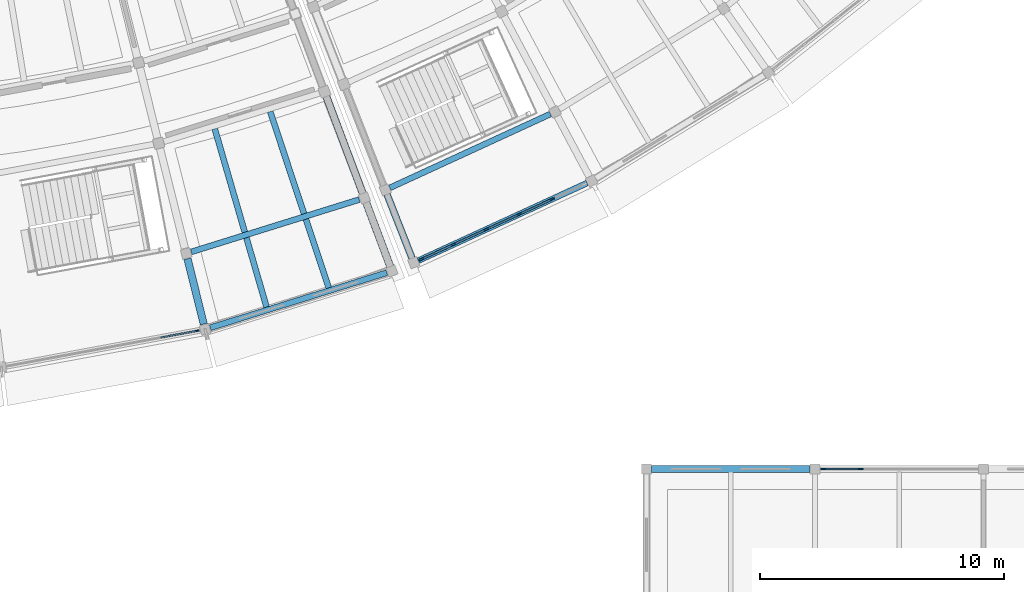
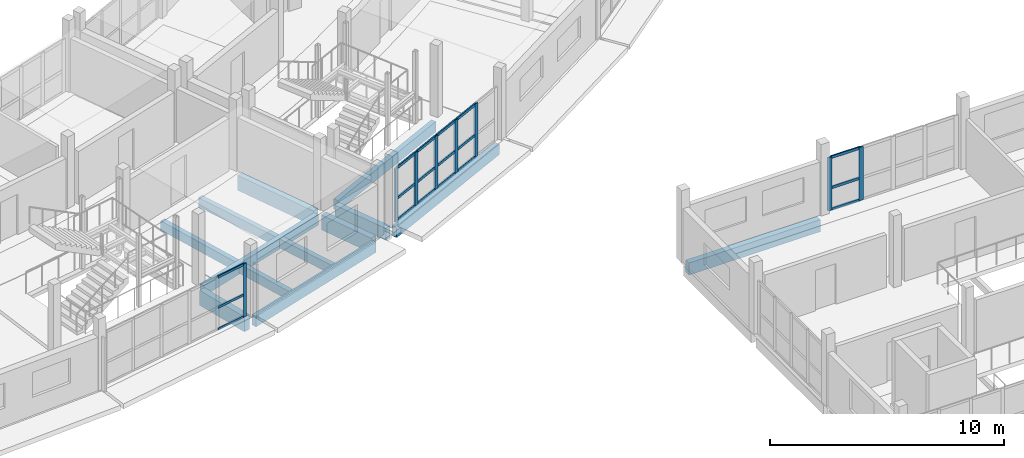
# One storey, part 26 of 77: 26 members, 11 beams, 3 elements without a shape of their own.
"""IFC4 building model written with IfcOpenShell, lengths in metres."""

from ifc_helpers import new_model, si_unit, direction, frame, origin, origin_2d, place, context, subcontext, project, spatial, rectangle, extrude, material, layer, layer_set, material_profile, profile_set, type_object, element, aggregate, save


model = new_model("IFC4")

# Units and contexts
model_context = context("Model", 3, precision=1e-05, world=origin(), true_north=direction((0.0, 1.0)))
body_context = subcontext(model_context, "Body", "Model", "MODEL_VIEW")
ifc_project = project(units=[si_unit("LENGTHUNIT", "METRE"), si_unit("AREAUNIT", "SQUARE_METRE"), si_unit("VOLUMEUNIT", "CUBIC_METRE"), si_unit("PLANEANGLEUNIT", "RADIAN"), si_unit("MASSUNIT", "GRAM", prefix="KILO")], contexts=[model_context])

# Site, building, storey
site_placement = place(None, origin())
site = spatial("IfcSite", under=ifc_project, at=site_placement, CompositionType="ELEMENT")
building_placement = place(site_placement, origin())
building = spatial("IfcBuilding", under=site, at=building_placement, Name="Caldaven Crescent School", CompositionType="ELEMENT")
storey_placement = place(building_placement, frame((0.0, 0.0, 4.419921875)))
storey = spatial("IfcBuildingStorey", under=building, at=storey_placement, Name="L01", CompositionType="ELEMENT", Elevation=4.419921875)

# Beams
ifc_material_1 = material(Name="Glulam MLE24h (GL28h)", Category="wood")
ifc_material_profile_1 = material_profile(ifc_material_1, rectangle(XDim=0.239990234375, YDim=0.5400390625, at=origin_2d()), Name="MLE 240x540")
ifc_profile_set_1 = profile_set([ifc_material_profile_1], Name="Glulam MLE24h (GL28h)")
beam_type_1 = type_object("IfcBeamType", Name="BM-GL54", PredefinedType="BEAM", material=ifc_profile_set_1)
beam_1_placement = place(storey_placement, frame((104.261474609375, 31.686279296875, -0.489990234375), z_axis=(0.954743079131, 0.297431761671, 0.0), x_axis=(-0.297431761671, 0.954743079131, 0.0)))
element("IfcBeam", 1, at=beam_1_placement, inside=storey, type_object=beam_type_1, Name="BMT-V5-L01-1064", PredefinedType="BEAM", context=body_context, shape_type="SweptSolid", body=[
    extrude(rectangle(XDim=0.239990234375, YDim=0.5400390625, at=origin_2d()), origin(), (0.0, 0.0, 1.0), 7.205322265625),
])
beam_2_placement = place(storey_placement, frame((112.389892578125, 34.307861328125, -0.489990234375), z_axis=(0.908529395513, 0.417820939505, 0.0), x_axis=(-0.417820939505, 0.908529395513, 0.0)))
element("IfcBeam", 2, at=beam_2_placement, inside=storey, type_object=beam_type_1, Name="BMT-V4E-L01-1097", PredefinedType="BEAM", context=body_context, shape_type="SweptSolid", body=[
    extrude(rectangle(XDim=0.239990234375, YDim=0.5400390625, at=origin_2d()), origin(), (0.0, 0.0, 1.0), 7.235107421875),
])
ifc_material_profile_2 = material_profile(ifc_material_1, rectangle(XDim=0.280029296875, YDim=0.6298828125, at=origin_2d()), Name="MLE 280x630")
ifc_profile_set_2 = profile_set([ifc_material_profile_2], Name="Glulam MLE24h (GL28h)")
beam_type_2 = type_object("IfcBeamType", Name="BM-GL63", PredefinedType="BEAM", material=ifc_profile_set_2)
beam_3_placement = place(storey_placement, frame((123.10498046875, 22.800048828125, -0.534912109375), z_axis=(1.0, 0.0, 0.0), x_axis=(0.0, 1.0, 0.0)))
element("IfcBeam", 3, at=beam_3_placement, inside=storey, type_object=beam_type_2, Name="BMX-V3-L01-0475", PredefinedType="BEAM", context=body_context, shape_type="SweptSolid", body=[
    extrude(rectangle(XDim=0.280029296875, YDim=0.6298828125, at=origin_2d()), origin(), (0.0, 0.0, 1.0), 6.489990234375),
])
beam_4_placement = place(storey_placement, frame((112.2783203125, 34.03125, -0.534912109375), z_axis=(0.364818343018, -0.931078716649, 0.0), x_axis=(0.931078716649, 0.364818343018, 0.0)))
element("IfcBeam", 4, at=beam_4_placement, inside=storey, type_object=beam_type_2, Name="BMR-V4E-L01-1073", PredefinedType="BEAM", context=body_context, shape_type="SweptSolid", body=[
    extrude(rectangle(XDim=0.280029296875, YDim=0.6298828125, at=origin_2d()), origin(), (0.0, 0.0, 1.0), 2.7900390625),
])
ifc_material_profile_3 = material_profile(ifc_material_1, rectangle(XDim=0.300048828125, YDim=0.780029296875, at=origin_2d()), Name="MLE 300x780")
ifc_profile_set_3 = profile_set([ifc_material_profile_3], Name="Glulam MLE24h (GL28h)")
beam_type_3 = type_object("IfcBeamType", Name="BM-GL78", PredefinedType="BEAM", material=ifc_profile_set_3)
beam_5_placement = place(storey_placement, frame((104.104736328125, 31.407470703125, -0.60986328125), z_axis=(0.241931983941, -0.970293210914, 0.0), x_axis=(0.970293210914, 0.241931983941, 0.0)))
element("IfcBeam", 5, at=beam_5_placement, inside=storey, type_object=beam_type_3, Name="BMR-V5-L01-1019", PredefinedType="BEAM", context=body_context, shape_type="SweptSolid", body=[
    extrude(rectangle(XDim=0.300048828125, YDim=0.780029296875, at=origin_2d()), origin(), (0.0, 0.0, 1.0), 2.760009765625),
])
beam_6_placement = place(storey_placement, frame((109.79150390625, 38.041259765625, -0.60986328125), z_axis=(0.351943115043, -0.93602139066, 0.0), x_axis=(0.93602139066, 0.351943115043, 0.0)))
element("IfcBeam", 6, at=beam_6_placement, inside=storey, type_object=beam_type_3, Name="BMR-V5-L01-1022", PredefinedType="BEAM", context=body_context, shape_type="SweptSolid", body=[
    extrude(rectangle(XDim=0.300048828125, YDim=0.780029296875, at=origin_2d()), origin(), (0.0, 0.0, 1.0), 4.2099609375),
])
beam_7_placement = place(storey_placement, frame((111.427978515625, 33.688720703125, -0.60986328125), z_axis=(0.351956947483, -0.93601618956, 0.0), x_axis=(0.93601618956, 0.351956947483, 0.0)))
element("IfcBeam", 7, at=beam_7_placement, inside=storey, type_object=beam_type_3, Name="BMR-V5-L01-1023", PredefinedType="BEAM", context=body_context, shape_type="SweptSolid", body=[
    extrude(rectangle(XDim=0.300048828125, YDim=0.780029296875, at=origin_2d()), origin(), (0.0, 0.0, 1.0), 2.760009765625),
])

# Curtain wall, member
ifc_material_2 = material(Name="Anodised aluminium AA 6063-T6 and low-E double glazing", Category="aluminium")
ifc_layer_1 = layer(ifc_material_2, 0.169921875)
ifc_layer_set_1 = layer_set([ifc_layer_1], Name="Anodised aluminium AA 6063-T6 and low-E double glazing")
curtain_wall_type_1 = type_object("IfcCurtainWallType", Name="CW-SYS1", PredefinedType="NOTDEFINED", material=ifc_layer_set_1)
curtain_wall_1_placement = place(storey_placement, origin())
curtain_wall_1 = element("IfcCurtainWall", 8, at=curtain_wall_1_placement, inside=storey, type_object=curtain_wall_type_1, Name="CW-L01-128", PredefinedType="NOTDEFINED")
ifc_material_3 = material(Name="Anodised aluminium AA 6063-T6", Category="aluminium")
ifc_material_profile_4 = material_profile(ifc_material_3, rectangle(XDim=0.06005859375, YDim=0.14990234375, at=origin_2d()), Name="CWM 60x150")
ifc_profile_set_4 = profile_set([ifc_material_profile_4], Name="Anodised aluminium AA 6063-T6")
member_type_1 = type_object("IfcMemberType", Name="CWM-T1", PredefinedType="MULLION", material=ifc_profile_set_4)
member_1_placement = place(storey_placement, frame((104.501220703125, 28.455810546875, 0.0), z_axis=(0.0, 0.0, 1.0), x_axis=(-0.182234865564, 0.983255029874, 0.0)))
member_1 = element("IfcMember", 9, at=member_1_placement, type_object=member_type_1, Name="CW1 mullion 6", PredefinedType="MULLION", context=body_context, shape_type="SweptSolid", body=[
    extrude(rectangle(XDim=0.06005859375, YDim=0.14990234375, at=origin_2d()), origin(), (0.0, 0.0, 1.0), 2.780029296875),
])

# Curtain wall, members
ifc_layer_2 = layer(ifc_material_2, 0.2099609375)
ifc_layer_set_2 = layer_set([ifc_layer_2], Name="Anodised aluminium AA 6063-T6 and low-E double glazing")
curtain_wall_type_2 = type_object("IfcCurtainWallType", Name="CW-SYS3", PredefinedType="NOTDEFINED", material=ifc_layer_set_2)
curtain_wall_2_placement = place(storey_placement, origin())
curtain_wall_2 = element("IfcCurtainWall", 10, at=curtain_wall_2_placement, inside=storey, type_object=curtain_wall_type_2, Name="CW-L01-086", PredefinedType="NOTDEFINED")
ifc_material_profile_5 = material_profile(ifc_material_3, rectangle(XDim=0.070068359375, YDim=0.2099609375, at=origin_2d()), Name="CWM 70x210")
ifc_profile_set_5 = profile_set([ifc_material_profile_5], Name="Anodised aluminium AA 6063-T6")
member_type_2 = type_object("IfcMemberType", Name="CWM-T3", PredefinedType="MULLION", material=ifc_profile_set_5)
member_2_placement = place(storey_placement, frame((130.135009765625, 22.800048828125, 0.0), z_axis=(0.0, 0.0, 1.0), x_axis=(0.0, 1.0, 0.0)))
member_2 = element("IfcMember", 11, at=member_2_placement, type_object=member_type_2, Name="CW3 mullion 1", PredefinedType="MULLION", context=body_context, shape_type="SweptSolid", body=[
    extrude(rectangle(XDim=0.070068359375, YDim=0.2099609375, at=origin_2d()), origin(), (0.0, 0.0, 1.0), 2.780029296875),
])
member_3_placement = place(storey_placement, frame((131.675048828125, 22.800048828125, 0.0), z_axis=(0.0, 0.0, 1.0), x_axis=(0.0, 1.0, 0.0)))
member_3 = element("IfcMember", 12, at=member_3_placement, type_object=member_type_2, Name="CW3 mullion 2", PredefinedType="MULLION", context=body_context, shape_type="SweptSolid", body=[
    extrude(rectangle(XDim=0.070068359375, YDim=0.2099609375, at=origin_2d()), origin(), (0.0, 0.0, 1.0), 2.780029296875),
])

curtain_wall_3_placement = place(storey_placement, origin())
curtain_wall_3 = element("IfcCurtainWall", 13, at=curtain_wall_3_placement, inside=storey, type_object=curtain_wall_type_2, Name="CW-L01-131", PredefinedType="NOTDEFINED")
member_4_placement = place(storey_placement, frame((113.67529296875, 31.382568359375, 0.0), z_axis=(0.0, 0.0, 1.0), x_axis=(-0.417823425339, 0.908528252306, 0.0)))
member_4 = element("IfcMember", 14, at=member_4_placement, type_object=member_type_2, Name="CW3 mullion 1", PredefinedType="MULLION", context=body_context, shape_type="SweptSolid", body=[
    extrude(rectangle(XDim=0.070068359375, YDim=0.2099609375, at=origin_2d()), origin(), (0.0, 0.0, 1.0), 2.780029296875),
])
member_5_placement = place(storey_placement, frame((114.99072265625, 31.987548828125, 0.0), z_axis=(0.0, 0.0, 1.0), x_axis=(-0.417823425339, 0.908528252306, 0.0)))
member_5 = element("IfcMember", 15, at=member_5_placement, type_object=member_type_2, Name="CW3 mullion 2", PredefinedType="MULLION", context=body_context, shape_type="SweptSolid", body=[
    extrude(rectangle(XDim=0.070068359375, YDim=0.2099609375, at=origin_2d()), origin(), (0.0, 0.0, 1.0), 2.780029296875),
])
member_6_placement = place(storey_placement, frame((116.337890625, 32.60693359375, 0.0), z_axis=(0.0, 0.0, 1.0), x_axis=(-0.417823425339, 0.908528252306, 0.0)))
member_6 = element("IfcMember", 16, at=member_6_placement, type_object=member_type_2, Name="CW3 mullion 3", PredefinedType="MULLION", context=body_context, shape_type="SweptSolid", body=[
    extrude(rectangle(XDim=0.070068359375, YDim=0.2099609375, at=origin_2d()), origin(), (0.0, 0.0, 1.0), 2.780029296875),
])
member_7_placement = place(storey_placement, frame((117.684814453125, 33.2265625, 0.0), z_axis=(0.0, 0.0, 1.0), x_axis=(-0.417823425339, 0.908528252306, 0.0)))
member_7 = element("IfcMember", 17, at=member_7_placement, type_object=member_type_2, Name="CW3 mullion 4", PredefinedType="MULLION", context=body_context, shape_type="SweptSolid", body=[
    extrude(rectangle(XDim=0.070068359375, YDim=0.2099609375, at=origin_2d()), origin(), (0.0, 0.0, 1.0), 2.780029296875),
])
member_8_placement = place(storey_placement, frame((119.031982421875, 33.84619140625, 0.0), z_axis=(0.0, 0.0, 1.0), x_axis=(-0.417823425339, 0.908528252306, 0.0)))
member_8 = element("IfcMember", 18, at=member_8_placement, type_object=member_type_2, Name="CW3 mullion 5", PredefinedType="MULLION", context=body_context, shape_type="SweptSolid", body=[
    extrude(rectangle(XDim=0.070068359375, YDim=0.2099609375, at=origin_2d()), origin(), (0.0, 0.0, 1.0), 2.780029296875),
])

# Member
ifc_material_profile_6 = material_profile(ifc_material_3, rectangle(XDim=0.06005859375, YDim=0.1201171875, at=origin_2d()), Name="CWT 60x120")
ifc_profile_set_6 = profile_set([ifc_material_profile_6], Name="Anodised aluminium AA 6063-T6")
member_type_3 = type_object("IfcMemberType", Name="CWT-T1", PredefinedType="USERDEFINED", material=ifc_profile_set_6)
member_9_placement = place(storey_placement, frame((103.00830078125, 28.17919921875, 0.030029296875), z_axis=(0.98325262173, 0.182247858315, 0.0), x_axis=(-0.182247858315, 0.98325262173, 0.0)))
member_9 = element("IfcMember", 19, at=member_9_placement, type_object=member_type_3, Name="CW1 transom 5.1", ObjectType="TRANSOM", PredefinedType="USERDEFINED", context=body_context, shape_type="SweptSolid", body=[
    extrude(rectangle(XDim=0.06005859375, YDim=0.1201171875, at=origin_2d()), origin(), (0.0, 0.0, 1.0), 1.48828125),
])

member_10_placement = place(storey_placement, frame((103.00830078125, 28.17919921875, 1.16796875), z_axis=(0.98325262173, 0.182247858315, 0.0), x_axis=(-0.182247858315, 0.98325262173, 0.0)))
member_10 = element("IfcMember", 20, at=member_10_placement, type_object=member_type_3, Name="CW1 transom 5.2", ObjectType="TRANSOM", PredefinedType="USERDEFINED", context=body_context, shape_type="SweptSolid", body=[
    extrude(rectangle(XDim=0.06005859375, YDim=0.1201171875, at=origin_2d()), origin(), (0.0, 0.0, 1.0), 1.48828125),
])

member_11_placement = place(storey_placement, frame((103.00830078125, 28.17919921875, 2.75), z_axis=(0.98325262173, 0.182247858315, 0.0), x_axis=(-0.182247858315, 0.98325262173, 0.0)))
member_11 = element("IfcMember", 21, at=member_11_placement, type_object=member_type_3, Name="CW1 transom 5.3", ObjectType="TRANSOM", PredefinedType="USERDEFINED", context=body_context, shape_type="SweptSolid", body=[
    extrude(rectangle(XDim=0.06005859375, YDim=0.1201171875, at=origin_2d()), origin(), (0.0, 0.0, 1.0), 1.48828125),
])

aggregate(curtain_wall_1, [member_1, member_9, member_10, member_11])

ifc_material_profile_7 = material_profile(ifc_material_3, rectangle(XDim=0.06494140625, YDim=0.139892578125, at=origin_2d()), Name="CWT 65x140")
ifc_profile_set_7 = profile_set([ifc_material_profile_7], Name="Anodised aluminium AA 6063-T6")
member_type_4 = type_object("IfcMemberType", Name="CWT-T2", PredefinedType="USERDEFINED", material=ifc_profile_set_7)
member_12_placement = place(storey_placement, frame((130.169921875, 22.800048828125, 0.032470703125), z_axis=(1.0, 0.0, 0.0), x_axis=(0.0, 1.0, 0.0)))
member_12 = element("IfcMember", 22, at=member_12_placement, type_object=member_type_4, Name="CW3 transom 1.1", ObjectType="TRANSOM", PredefinedType="USERDEFINED", context=body_context, shape_type="SweptSolid", body=[
    extrude(rectangle(XDim=0.06494140625, YDim=0.139892578125, at=origin_2d()), origin(), (0.0, 0.0, 1.0), 1.469970703125),
])

member_13_placement = place(storey_placement, frame((130.169921875, 22.800048828125, 1.16796875), z_axis=(1.0, 0.0, 0.0), x_axis=(0.0, 1.0, 0.0)))
member_13 = element("IfcMember", 23, at=member_13_placement, type_object=member_type_4, Name="CW3 transom 1.2", ObjectType="TRANSOM", PredefinedType="USERDEFINED", context=body_context, shape_type="SweptSolid", body=[
    extrude(rectangle(XDim=0.06494140625, YDim=0.139892578125, at=origin_2d()), origin(), (0.0, 0.0, 1.0), 1.469970703125),
])

member_14_placement = place(storey_placement, frame((130.169921875, 22.800048828125, 2.74755859375), z_axis=(1.0, 0.0, 0.0), x_axis=(0.0, 1.0, 0.0)))
member_14 = element("IfcMember", 24, at=member_14_placement, type_object=member_type_4, Name="CW3 transom 1.3", ObjectType="TRANSOM", PredefinedType="USERDEFINED", context=body_context, shape_type="SweptSolid", body=[
    extrude(rectangle(XDim=0.06494140625, YDim=0.139892578125, at=origin_2d()), origin(), (0.0, 0.0, 1.0), 1.469970703125),
])

aggregate(curtain_wall_2, [member_2, member_3, member_12, member_13, member_14])

member_15_placement = place(storey_placement, frame((113.70703125, 31.397216796875, 0.032470703125), z_axis=(0.908518707105, 0.417844180096, 0.0), x_axis=(-0.417844180096, 0.908518707105, 0.0)))
member_15 = element("IfcMember", 25, at=member_15_placement, type_object=member_type_4, Name="CW3 transom 1.1", ObjectType="TRANSOM", PredefinedType="USERDEFINED", context=body_context, shape_type="SweptSolid", body=[
    extrude(rectangle(XDim=0.06494140625, YDim=0.139892578125, at=origin_2d()), origin(), (0.0, 0.0, 1.0), 1.377685546875),
])

member_16_placement = place(storey_placement, frame((113.70703125, 31.397216796875, 1.16796875), z_axis=(0.908518707105, 0.417844180096, 0.0), x_axis=(-0.417844180096, 0.908518707105, 0.0)))
member_16 = element("IfcMember", 26, at=member_16_placement, type_object=member_type_4, Name="CW3 transom 1.2", ObjectType="TRANSOM", PredefinedType="USERDEFINED", context=body_context, shape_type="SweptSolid", body=[
    extrude(rectangle(XDim=0.06494140625, YDim=0.139892578125, at=origin_2d()), origin(), (0.0, 0.0, 1.0), 1.377685546875),
])

member_17_placement = place(storey_placement, frame((113.70703125, 31.397216796875, 2.74755859375), z_axis=(0.908518707105, 0.417844180096, 0.0), x_axis=(-0.417844180096, 0.908518707105, 0.0)))
member_17 = element("IfcMember", 27, at=member_17_placement, type_object=member_type_4, Name="CW3 transom 1.3", ObjectType="TRANSOM", PredefinedType="USERDEFINED", context=body_context, shape_type="SweptSolid", body=[
    extrude(rectangle(XDim=0.06494140625, YDim=0.139892578125, at=origin_2d()), origin(), (0.0, 0.0, 1.0), 1.377685546875),
])

member_18_placement = place(storey_placement, frame((115.0224609375, 32.002197265625, 0.032470703125), z_axis=(0.908504886929, 0.417874228, 0.0), x_axis=(-0.417874228, 0.908504886929, 0.0)))
member_18 = element("IfcMember", 28, at=member_18_placement, type_object=member_type_4, Name="CW3 transom 2.1", ObjectType="TRANSOM", PredefinedType="USERDEFINED", context=body_context, shape_type="SweptSolid", body=[
    extrude(rectangle(XDim=0.06494140625, YDim=0.139892578125, at=origin_2d()), origin(), (0.0, 0.0, 1.0), 1.41259765625),
])

member_19_placement = place(storey_placement, frame((115.0224609375, 32.002197265625, 1.16796875), z_axis=(0.908504886929, 0.417874228, 0.0), x_axis=(-0.417874228, 0.908504886929, 0.0)))
member_19 = element("IfcMember", 29, at=member_19_placement, type_object=member_type_4, Name="CW3 transom 2.2", ObjectType="TRANSOM", PredefinedType="USERDEFINED", context=body_context, shape_type="SweptSolid", body=[
    extrude(rectangle(XDim=0.06494140625, YDim=0.139892578125, at=origin_2d()), origin(), (0.0, 0.0, 1.0), 1.41259765625),
])

member_20_placement = place(storey_placement, frame((115.0224609375, 32.002197265625, 2.74755859375), z_axis=(0.908504886929, 0.417874228, 0.0), x_axis=(-0.417874228, 0.908504886929, 0.0)))
member_20 = element("IfcMember", 30, at=member_20_placement, type_object=member_type_4, Name="CW3 transom 2.3", ObjectType="TRANSOM", PredefinedType="USERDEFINED", context=body_context, shape_type="SweptSolid", body=[
    extrude(rectangle(XDim=0.06494140625, YDim=0.139892578125, at=origin_2d()), origin(), (0.0, 0.0, 1.0), 1.41259765625),
])

member_21_placement = place(storey_placement, frame((116.36962890625, 32.62158203125, 0.032470703125), z_axis=(0.908504886929, 0.417874228, 0.0), x_axis=(-0.417874228, 0.908504886929, 0.0)))
member_21 = element("IfcMember", 31, at=member_21_placement, type_object=member_type_4, Name="CW3 transom 3.1", ObjectType="TRANSOM", PredefinedType="USERDEFINED", context=body_context, shape_type="SweptSolid", body=[
    extrude(rectangle(XDim=0.06494140625, YDim=0.139892578125, at=origin_2d()), origin(), (0.0, 0.0, 1.0), 1.41259765625),
])

member_22_placement = place(storey_placement, frame((116.36962890625, 32.62158203125, 1.16796875), z_axis=(0.908504886929, 0.417874228, 0.0), x_axis=(-0.417874228, 0.908504886929, 0.0)))
member_22 = element("IfcMember", 32, at=member_22_placement, type_object=member_type_4, Name="CW3 transom 3.2", ObjectType="TRANSOM", PredefinedType="USERDEFINED", context=body_context, shape_type="SweptSolid", body=[
    extrude(rectangle(XDim=0.06494140625, YDim=0.139892578125, at=origin_2d()), origin(), (0.0, 0.0, 1.0), 1.41259765625),
])

member_23_placement = place(storey_placement, frame((116.36962890625, 32.62158203125, 2.74755859375), z_axis=(0.908504886929, 0.417874228, 0.0), x_axis=(-0.417874228, 0.908504886929, 0.0)))
member_23 = element("IfcMember", 33, at=member_23_placement, type_object=member_type_4, Name="CW3 transom 3.3", ObjectType="TRANSOM", PredefinedType="USERDEFINED", context=body_context, shape_type="SweptSolid", body=[
    extrude(rectangle(XDim=0.06494140625, YDim=0.139892578125, at=origin_2d()), origin(), (0.0, 0.0, 1.0), 1.41259765625),
])

member_24_placement = place(storey_placement, frame((117.716796875, 33.2412109375, 0.032470703125), z_axis=(0.908504886929, 0.417874228, 0.0), x_axis=(-0.417874228, 0.908504886929, 0.0)))
member_24 = element("IfcMember", 34, at=member_24_placement, type_object=member_type_4, Name="CW3 transom 4.1", ObjectType="TRANSOM", PredefinedType="USERDEFINED", context=body_context, shape_type="SweptSolid", body=[
    extrude(rectangle(XDim=0.06494140625, YDim=0.139892578125, at=origin_2d()), origin(), (0.0, 0.0, 1.0), 1.41259765625),
])

member_25_placement = place(storey_placement, frame((117.716796875, 33.2412109375, 1.16796875), z_axis=(0.908504886929, 0.417874228, 0.0), x_axis=(-0.417874228, 0.908504886929, 0.0)))
member_25 = element("IfcMember", 35, at=member_25_placement, type_object=member_type_4, Name="CW3 transom 4.2", ObjectType="TRANSOM", PredefinedType="USERDEFINED", context=body_context, shape_type="SweptSolid", body=[
    extrude(rectangle(XDim=0.06494140625, YDim=0.139892578125, at=origin_2d()), origin(), (0.0, 0.0, 1.0), 1.41259765625),
])

member_26_placement = place(storey_placement, frame((117.716796875, 33.2412109375, 2.74755859375), z_axis=(0.908504886929, 0.417874228, 0.0), x_axis=(-0.417874228, 0.908504886929, 0.0)))
member_26 = element("IfcMember", 36, at=member_26_placement, type_object=member_type_4, Name="CW3 transom 4.3", ObjectType="TRANSOM", PredefinedType="USERDEFINED", context=body_context, shape_type="SweptSolid", body=[
    extrude(rectangle(XDim=0.06494140625, YDim=0.139892578125, at=origin_2d()), origin(), (0.0, 0.0, 1.0), 1.41259765625),
])

aggregate(curtain_wall_3, [member_4, member_5, member_6, member_7, member_8, member_15, member_16, member_17, member_18, member_19, member_20, member_21, member_22, member_23, member_24, member_25, member_26])

# Beams
ifc_material_profile_8 = material_profile(ifc_material_1, rectangle(XDim=0.239990234375, YDim=0.47998046875, at=origin_2d()), Name="MLE 240x480")
ifc_profile_set_8 = profile_set([ifc_material_profile_8], Name="Glulam MLE24h (GL28h)")
beam_type_4 = type_object("IfcBeamType", Name="JS-GL48", PredefinedType="JOIST", material=ifc_profile_set_8)
for number, where, z_axis, x_axis, name in (
    (37, (105.22119140625, 36.72705078125, -0.4599609375), (0.279011621042, -0.96028772528, 0.0), (0.96028772528, 0.279011621042, 0.0), "JSR-V5-L01-1067"),
    (38, (107.488037109375, 37.433349609375, -0.4599609375), (0.315717515133, -0.948853229239, 0.0), (0.948853229239, 0.315717515133, 0.0), "JSR-V5-L01-1069"),
):
    element("IfcBeam", number, at=place(storey_placement, frame(where, z_axis=z_axis, x_axis=x_axis)), inside=storey, type_object=beam_type_4, Name=name, PredefinedType="JOIST", context=body_context, shape_type="SweptSolid", body=[
        extrude(rectangle(XDim=0.239990234375, YDim=0.47998046875, at=origin_2d()), origin(), (0.0, 0.0, 1.0), 7.6083984375),
    ])
ifc_material_profile_9 = material_profile(ifc_material_1, rectangle(XDim=0.239990234375, YDim=0.5400390625, at=origin_2d()), Name="MLE 240x540")
ifc_profile_set_9 = profile_set([ifc_material_profile_9], Name="Glulam MLE24h (GL28h)")
beam_type_5 = type_object("IfcBeamType", Name="SP-GL54", PredefinedType="SPANDREL", material=ifc_profile_set_9)
beam_8_placement = place(storey_placement, frame((105.03564453125, 28.581298828125, -0.489990234375), z_axis=(0.954745159186, 0.297425084703, 0.0), x_axis=(-0.297425084703, 0.954745159186, 0.0)))
element("IfcBeam", 39, at=beam_8_placement, inside=storey, type_object=beam_type_5, Name="BMT-V5-L01-1065", PredefinedType="SPANDREL", context=body_context, shape_type="SweptSolid", body=[
    extrude(rectangle(XDim=0.239990234375, YDim=0.5400390625, at=origin_2d()), origin(), (0.0, 0.0, 1.0), 7.573974609375),
])
beam_9_placement = place(storey_placement, frame((113.55712890625, 31.328369140625, -0.489990234375), z_axis=(0.908534575, 0.417809676802, 0.0), x_axis=(-0.417809676802, 0.908534575, 0.0)))
element("IfcBeam", 40, at=beam_9_placement, inside=storey, type_object=beam_type_5, Name="BMT-V4E-L01-1098", PredefinedType="SPANDREL", context=body_context, shape_type="SweptSolid", body=[
    extrude(rectangle(XDim=0.239990234375, YDim=0.5400390625, at=origin_2d()), origin(), (0.0, 0.0, 1.0), 7.60400390625),
])

save(model, "model.ifc")
